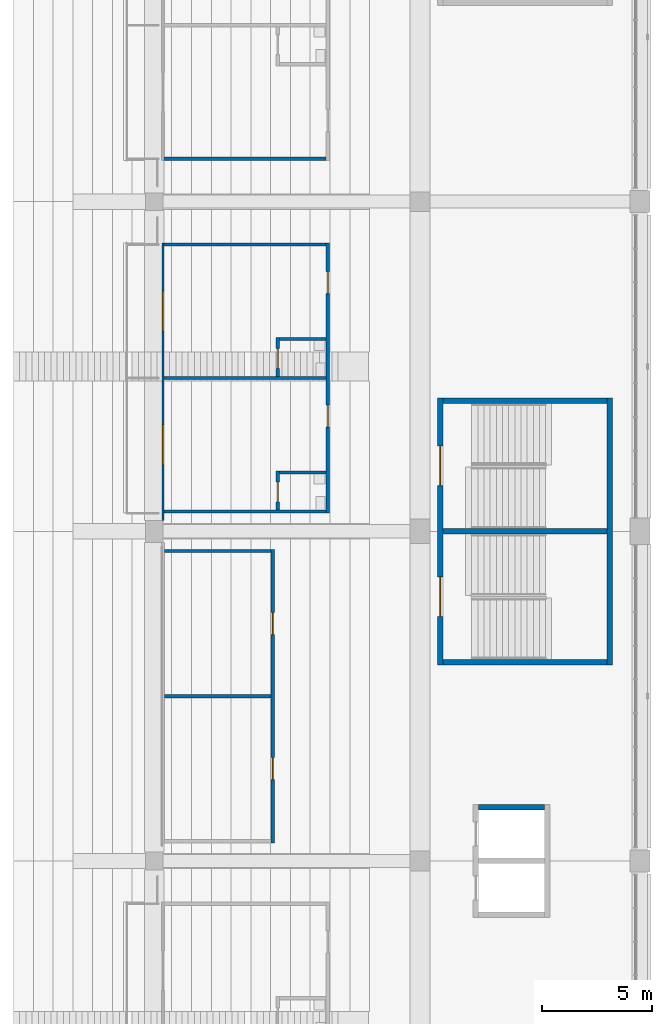
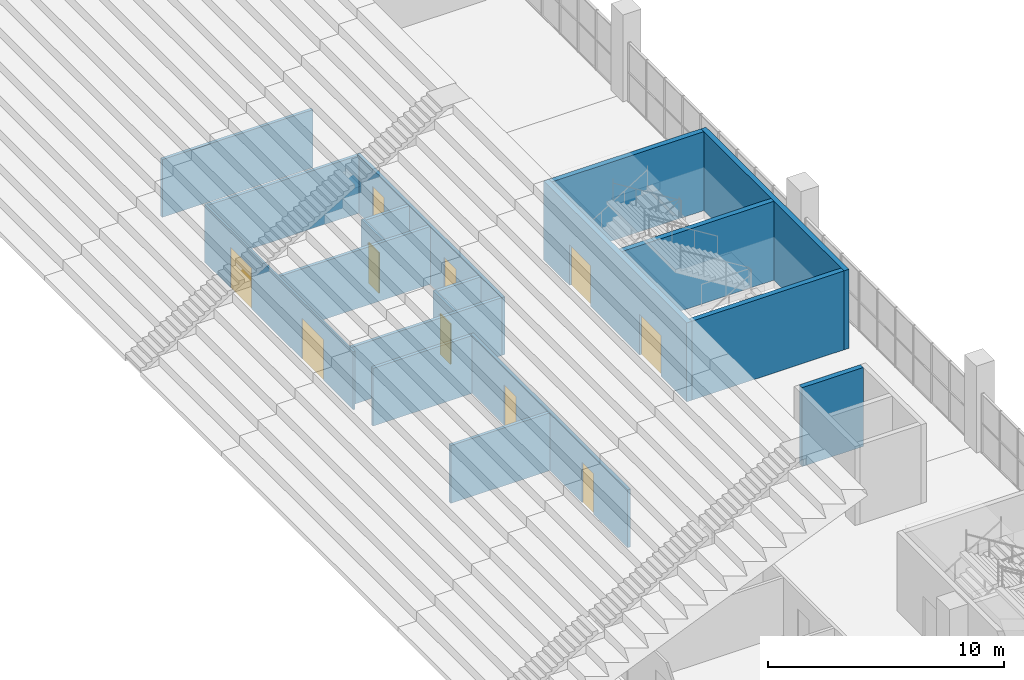
# One storey, part 93 of 249: 19 walls, 10 doors, 10 openings.
"""IFC4 building model written with IfcOpenShell, lengths in metres."""

from ifc_helpers import new_model, si_unit, direction, frame, frame_2d, origin, place, context, subcontext, project, spatial, rectangle, extrude, material, layer, layer_set, type_object, element, fill, save


model = new_model("IFC4")

# Units and contexts
model_context = context("Model", 3, precision=1e-05, world=origin(), true_north=direction((0.0, 1.0)))
body_context = subcontext(model_context, "Body", "Model", "MODEL_VIEW")
ifc_project = project(units=[si_unit("LENGTHUNIT", "METRE"), si_unit("AREAUNIT", "SQUARE_METRE"), si_unit("VOLUMEUNIT", "CUBIC_METRE"), si_unit("PLANEANGLEUNIT", "RADIAN"), si_unit("MASSUNIT", "GRAM", prefix="KILO")], contexts=[model_context])

# Site, building, storey
site_placement = place(None, origin())
site = spatial("IfcSite", under=ifc_project, at=site_placement, CompositionType="ELEMENT")
building_placement = place(site_placement, origin())
building = spatial("IfcBuilding", under=site, at=building_placement, Name="Ogive Plaza Stadium", CompositionType="ELEMENT")
storey_placement = place(building_placement, frame((0.0, 0.0, 13.5)))
storey = spatial("IfcBuildingStorey", under=building, at=storey_placement, Name="L03", CompositionType="ELEMENT", Elevation=13.5)

# Wall
ifc_material_1 = material(Name="Masonry blockwork", Category="masonry")
ifc_layer_1 = layer(ifc_material_1, 0.14990234375)
ifc_layer_set_1 = layer_set([ifc_layer_1], Name="Blockwork wall 150")
wall_type_1 = type_object("IfcWallType", Name="Blockwork wall 150", PredefinedType="SOLIDWALL", material=ifc_layer_set_1)
wall_1_placement = place(storey_placement, frame((62.35009765625, 24.449951171875, 0.0), z_axis=(0.0, 0.0, 1.0), x_axis=(1.0, 0.0, 0.0)))
element("IfcWall", 1, at=wall_1_placement, inside=storey, type_object=wall_type_1, Name="Wall L03 B02", PredefinedType="SOLIDWALL", context=body_context, shape_type="SweptSolid", body=[
    extrude(rectangle(XDim=7.375, YDim=0.14990234375, at=frame_2d((3.6875, 0.0))), origin(), (0.0, 0.0, 1.0), 3.0),
])

# Wall, openings, doors
wall_2_placement = place(storey_placement, frame((69.800048828125, 8.324951171875, 0.0), z_axis=(0.0, 0.0, 1.0), x_axis=(0.0, 1.0, 0.0)))
wall_2 = element("IfcWall", 2, at=wall_2_placement, inside=storey, type_object=wall_type_1, Name="Wall L03 B03", PredefinedType="SOLIDWALL", context=body_context, shape_type="SweptSolid", body=[
    extrude(rectangle(XDim=12.300048828125, YDim=0.14990234375, at=frame_2d((6.14990234375, 0.0))), origin(), (0.0, 0.0, 1.0), 3.0),
])
opening_1_placement = place(wall_2_placement, frame((3.916015625, 0.0, 0.0)))
opening_1 = element("IfcOpeningElement", 3, at=opening_1_placement, cuts=wall_2, Name="Opening D0761", PredefinedType="OPENING", context=body_context, shape_type="SweptSolid", body=[
    extrude(rectangle(XDim=1.0, YDim=2.10009765625, at=frame_2d((0.5, 1.050048828125))), frame((0.0, 0.074951171875, 0.0), z_axis=(0.0, -1.0, 0.0), x_axis=(1.0, 0.0, 0.0)), (0.0, 0.0, 1.0), 0.14990234375),
])
opening_2_placement = place(wall_2_placement, frame((9.990966796875, 0.0, 0.0)))
opening_2 = element("IfcOpeningElement", 4, at=opening_2_placement, cuts=wall_2, Name="Opening D0762", PredefinedType="OPENING", context=body_context, shape_type="SweptSolid", body=[
    extrude(rectangle(XDim=1.0, YDim=2.10009765625, at=frame_2d((0.5, 1.050048828125))), frame((0.0, 0.074951171875, 0.0), z_axis=(0.0, -1.0, 0.0), x_axis=(1.0, 0.0, 0.0)), (0.0, 0.0, 1.0), 0.14990234375),
])
ifc_material_2 = material(Name="Steel ASTM A572 Grade 50", Category="steel")
door_type_1 = type_object("IfcDoorType", Name="Fire door FD30S 1000 x 2100", OperationType="SINGLE_SWING_LEFT", PredefinedType="DOOR", material=ifc_material_2)
door_1_placement = place(opening_1_placement, origin())
door_1 = element("IfcDoor", 5, at=door_1_placement, inside=storey, type_object=door_type_1, Name="Hospitality Suite B03 door", OperationType="SINGLE_SWING_LEFT", OverallHeight=2.10009765625, OverallWidth=1.0, PredefinedType="DOOR", context=body_context, shape_type="SweptSolid", body=[
    extrude(rectangle(XDim=1.0, YDim=2.10009765625, at=frame_2d((0.5, 1.050048828125))), frame((0.0, 0.02490234375, 0.0), z_axis=(0.0, -1.0, 0.0), x_axis=(1.0, 0.0, 0.0)), (0.0, 0.0, 1.0), 0.050048828125),
])
fill(opening_1, door_1)
door_2_placement = place(opening_2_placement, origin())
door_2 = element("IfcDoor", 6, at=door_2_placement, inside=storey, type_object=door_type_1, Name="Hospitality Suite B03 door", OperationType="SINGLE_SWING_LEFT", OverallHeight=2.10009765625, OverallWidth=1.0, PredefinedType="DOOR", context=body_context, shape_type="SweptSolid", body=[
    extrude(rectangle(XDim=1.0, YDim=2.10009765625, at=frame_2d((0.5, 1.050048828125))), frame((0.0, 0.02490234375, 0.0), z_axis=(0.0, -1.0, 0.0), x_axis=(1.0, 0.0, 0.0)), (0.0, 0.0, 1.0), 0.050048828125),
])
fill(opening_2, door_2)

# Walls
for number, where, z_axis, x_axis, name in (
    (7, (62.35009765625, 8.39990234375, 0.0), (0.0, 0.0, 1.0), (1.0, 0.0, 0.0), "Wall L03 B03"),
    (8, (62.35009765625, 14.47509765625, 0.0), (0.0, 0.0, 1.0), (1.0, 0.0, 0.0), "Wall L03 B03"),
    (9, (62.35009765625, 20.550048828125, 0.0), (0.0, 0.0, 1.0), (1.0, 0.0, 0.0), "Wall L03 B03"),
):
    element("IfcWall", number, at=place(storey_placement, frame(where, z_axis=z_axis, x_axis=x_axis)), inside=storey, type_object=wall_type_1, Name=name, PredefinedType="SOLIDWALL", context=body_context, shape_type="SweptSolid", body=[
        extrude(rectangle(XDim=7.375, YDim=0.14990234375, at=frame_2d((3.6875, 0.0))), origin(), (0.0, 0.0, 1.0), 3.0),
    ])

# Wall, openings, doors
wall_3_placement = place(storey_placement, frame((67.300048828125, 6.675048828125, 0.0), z_axis=(0.0, 0.0, 1.0), x_axis=(0.0, -1.0, 0.0)))
wall_3 = element("IfcWall", 10, at=wall_3_placement, inside=storey, type_object=wall_type_1, Name="Wall L03 B04", PredefinedType="SOLIDWALL", context=body_context, shape_type="SweptSolid", body=[
    extrude(rectangle(XDim=13.35009765625, YDim=0.14990234375, at=frame_2d((6.675048828125, 0.0))), origin(), (0.0, 0.0, 1.0), 3.0),
])
opening_3_placement = place(wall_3_placement, frame((2.875, 0.0, 0.0)))
opening_3 = element("IfcOpeningElement", 11, at=opening_3_placement, cuts=wall_3, Name="Opening D0767", PredefinedType="OPENING", context=body_context, shape_type="SweptSolid", body=[
    extrude(rectangle(XDim=1.0, YDim=2.10009765625, at=frame_2d((0.5, 1.050048828125))), frame((0.0, 0.074951171875, 0.0), z_axis=(0.0, -1.0, 0.0), x_axis=(1.0, 0.0, 0.0)), (0.0, 0.0, 1.0), 0.14990234375),
])
opening_4_placement = place(wall_3_placement, frame((9.47509765625, 0.0, 0.0)))
opening_4 = element("IfcOpeningElement", 12, at=opening_4_placement, cuts=wall_3, Name="Opening D0768", PredefinedType="OPENING", context=body_context, shape_type="SweptSolid", body=[
    extrude(rectangle(XDim=1.0, YDim=2.10009765625, at=frame_2d((0.5, 1.050048828125))), frame((0.0, 0.074951171875, 0.0), z_axis=(0.0, -1.0, 0.0), x_axis=(1.0, 0.0, 0.0)), (0.0, 0.0, 1.0), 0.14990234375),
])
ifc_material_3 = material(Name="Steel ASTM A572 Grade 50", Category="steel")
door_type_2 = type_object("IfcDoorType", Name="Fire door FD60 1000 x 2100", OperationType="SINGLE_SWING_LEFT", PredefinedType="DOOR", material=ifc_material_3)
door_3_placement = place(opening_3_placement, origin())
door_3 = element("IfcDoor", 13, at=door_3_placement, inside=storey, type_object=door_type_2, Name="Hospitality Pantry B04 door", OperationType="SINGLE_SWING_RIGHT", OverallHeight=2.10009765625, OverallWidth=1.0, PredefinedType="DOOR", context=body_context, shape_type="SweptSolid", body=[
    extrude(rectangle(XDim=1.0, YDim=2.10009765625, at=frame_2d((0.5, 1.050048828125))), frame((0.0, 0.02490234375, 0.0), z_axis=(0.0, -1.0, 0.0), x_axis=(1.0, 0.0, 0.0)), (0.0, 0.0, 1.0), 0.050048828125),
])
fill(opening_3, door_3)
door_4_placement = place(opening_4_placement, origin())
door_4 = element("IfcDoor", 14, at=door_4_placement, inside=storey, type_object=door_type_2, Name="Hospitality Store B04 door", OperationType="SINGLE_SWING_LEFT", OverallHeight=2.10009765625, OverallWidth=1.0, PredefinedType="DOOR", context=body_context, shape_type="SweptSolid", body=[
    extrude(rectangle(XDim=1.0, YDim=2.10009765625, at=frame_2d((0.5, 1.050048828125))), frame((0.0, 0.02490234375, 0.0), z_axis=(0.0, -1.0, 0.0), x_axis=(1.0, 0.0, 0.0)), (0.0, 0.0, 1.0), 0.050048828125),
])
fill(opening_4, door_4)

# Walls
for number, where, z_axis, x_axis, name in (
    (15, (62.375, 6.60009765625, 0.0), (0.0, 0.0, 1.0), (1.0, 0.0, 0.0), "Wall L03 B04"),
    (16, (62.375, 0.0, 0.0), (0.0, 0.0, 1.0), (1.0, 0.0, 0.0), "Wall L03 B04"),
):
    element("IfcWall", number, at=place(storey_placement, frame(where, z_axis=z_axis, x_axis=x_axis)), inside=storey, type_object=wall_type_1, Name=name, PredefinedType="SOLIDWALL", context=body_context, shape_type="SweptSolid", body=[
        extrude(rectangle(XDim=4.85009765625, YDim=0.14990234375, at=frame_2d((2.425048828125, 0.0))), origin(), (0.0, 0.0, 1.0), 3.0),
    ])

# Wall, openings, doors
ifc_material_4 = material(Name="Concrete C40/50", Category="concrete")
ifc_layer_2 = layer(ifc_material_4, 0.25)
ifc_layer_set_2 = layer_set([ifc_layer_2], Name="Concrete C40/50")
wall_type_2 = type_object("IfcWallType", Name="Core wall 250", PredefinedType="SHEAR", material=ifc_layer_set_2)
wall_4_placement = place(storey_placement, frame((74.925048828125, 1.425048828125, 0.0), z_axis=(0.0, 0.0, 1.0), x_axis=(0.0, 1.0, 0.0)))
wall_4 = element("IfcWall", 17, at=wall_4_placement, inside=storey, type_object=wall_type_2, Name="Stair core R04 inner wall", PredefinedType="SHEAR", context=body_context, shape_type="SweptSolid", body=[
    extrude(rectangle(XDim=12.14990234375, YDim=0.25, at=frame_2d((6.074951171875, 0.0))), origin(), (0.0, 0.0, 1.0), 4.090087890625),
])
opening_5_placement = place(wall_4_placement, frame((2.199951171875, 0.0, 0.0)))
opening_5 = element("IfcOpeningElement", 18, at=opening_5_placement, cuts=wall_4, Name="Opening D0061", PredefinedType="OPENING", context=body_context, shape_type="SweptSolid", body=[
    extrude(rectangle(XDim=1.800048828125, YDim=2.10009765625, at=frame_2d((0.89990234375, 1.050048828125))), frame((0.0, 0.125, 0.0), z_axis=(0.0, -1.0, 0.0), x_axis=(1.0, 0.0, 0.0)), (0.0, 0.0, 1.0), 0.25),
])
opening_6_placement = place(wall_4_placement, frame((8.14990234375, 0.0, 0.0)))
opening_6 = element("IfcOpeningElement", 19, at=opening_6_placement, cuts=wall_4, Name="Opening D0062", PredefinedType="OPENING", context=body_context, shape_type="SweptSolid", body=[
    extrude(rectangle(XDim=1.800048828125, YDim=2.10009765625, at=frame_2d((0.89990234375, 1.050048828125))), frame((0.0, 0.125, 0.0), z_axis=(0.0, -1.0, 0.0), x_axis=(1.0, 0.0, 0.0)), (0.0, 0.0, 1.0), 0.25),
])
ifc_material_5 = material(Name="Steel ASTM A572 Grade 50", Category="steel")
door_type_3 = type_object("IfcDoorType", Name="Fire door FD90 pair 1800 x 2100", OperationType="DOUBLE_DOOR_SINGLE_SWING", PredefinedType="DOOR", material=ifc_material_5)
door_5_placement = place(opening_5_placement, origin())
door_5 = element("IfcDoor", 20, at=door_5_placement, inside=storey, type_object=door_type_3, Name="Exit stair R04A door L03", OperationType="DOUBLE_DOOR_SINGLE_SWING", OverallHeight=2.10009765625, OverallWidth=1.800048828125, PredefinedType="DOOR", context=body_context, shape_type="SweptSolid", body=[
    extrude(rectangle(XDim=1.800048828125, YDim=2.10009765625, at=frame_2d((0.89990234375, 1.050048828125))), frame((0.0, 0.02490234375, 0.0), z_axis=(0.0, -1.0, 0.0), x_axis=(1.0, 0.0, 0.0)), (0.0, 0.0, 1.0), 0.050048828125),
])
fill(opening_5, door_5)
door_6_placement = place(opening_6_placement, origin())
door_6 = element("IfcDoor", 21, at=door_6_placement, inside=storey, type_object=door_type_3, Name="Exit stair R04B door L03", OperationType="DOUBLE_DOOR_SINGLE_SWING", OverallHeight=2.10009765625, OverallWidth=1.800048828125, PredefinedType="DOOR", context=body_context, shape_type="SweptSolid", body=[
    extrude(rectangle(XDim=1.800048828125, YDim=2.10009765625, at=frame_2d((0.89990234375, 1.050048828125))), frame((0.0, 0.02490234375, 0.0), z_axis=(0.0, -1.0, 0.0), x_axis=(1.0, 0.0, 0.0)), (0.0, 0.0, 1.0), 0.050048828125),
])
fill(opening_6, door_6)

# Walls
wall_5_placement = place(storey_placement, frame((82.635009765625, 1.425048828125, 0.0), z_axis=(0.0, 0.0, 1.0), x_axis=(0.0, 1.0, 0.0)))
element("IfcWall", 22, at=wall_5_placement, inside=storey, type_object=wall_type_2, Name="Stair core R04 outer wall", PredefinedType="SHEAR", context=body_context, shape_type="SweptSolid", body=[
    extrude(rectangle(XDim=12.14990234375, YDim=0.25, at=frame_2d((6.074951171875, 0.0))), origin(), (0.0, 0.0, 1.0), 4.090087890625),
])
for number, where, z_axis, x_axis, name in (
    (23, (75.050048828125, 1.550048828125, 0.0), (0.0, 0.0, 1.0), (1.0, 0.0, 0.0), "Stair core R04 side wall"),
    (24, (75.050048828125, 13.449951171875, 0.0), (0.0, 0.0, 1.0), (1.0, 0.0, 0.0), "Stair core R04 side wall"),
    (25, (75.050048828125, 7.5, 0.0), (0.0, 0.0, 1.0), (1.0, 0.0, 0.0), "Stair core R04 centre wall"),
):
    element("IfcWall", number, at=place(storey_placement, frame(where, z_axis=z_axis, x_axis=x_axis)), inside=storey, type_object=wall_type_2, Name=name, PredefinedType="SHEAR", context=body_context, shape_type="SweptSolid", body=[
        extrude(rectangle(XDim=7.4599609375, YDim=0.25, at=frame_2d((3.72998046875, 0.0))), origin(), (0.0, 0.0, 1.0), 4.090087890625),
    ])
wall_6_placement = place(storey_placement, frame((76.64990234375, -5.050048828125, 0.0), z_axis=(0.0, 0.0, 1.0), x_axis=(1.0, 0.0, 0.0)))
element("IfcWall", 26, at=wall_6_placement, inside=storey, type_object=wall_type_2, Name="Lift core LP05 side wall", PredefinedType="SHEAR", context=body_context, shape_type="SweptSolid", body=[
    extrude(rectangle(XDim=3.0, YDim=0.25, at=frame_2d((1.5, 0.0))), origin(), (0.0, 0.0, 1.0), 4.090087890625),
])

# Wall, openings, doors
ifc_material_6 = material(Name="Laminated glass in aluminium frame", Category="aluminium")
ifc_layer_3 = layer(ifc_material_6, 0.10009765625)
ifc_layer_set_3 = layer_set([ifc_layer_3], Name="Glazed partition 100")
wall_type_3 = type_object("IfcWallType", Name="Glazed partition 100", PredefinedType="PARTITIONING", material=ifc_layer_set_3)
wall_7_placement = place(storey_placement, frame((62.300048828125, 8.0, 0.0), z_axis=(0.0, 0.0, 1.0), x_axis=(0.0, 1.0, 0.0)))
wall_7 = element("IfcWall", 27, at=wall_7_placement, inside=storey, type_object=wall_type_3, Name="Wall L03 B03", PredefinedType="PARTITIONING", context=body_context, shape_type="SweptSolid", body=[
    extrude(rectangle(XDim=12.625, YDim=0.10009765625, at=frame_2d((6.3125, 0.0))), origin(), (0.0, 0.0, 1.0), 3.0),
])
opening_7_placement = place(wall_7_placement, frame((2.53759765625, 0.0, 0.0)))
opening_7 = element("IfcOpeningElement", 28, at=opening_7_placement, cuts=wall_7, Name="Opening D0763", PredefinedType="OPENING", context=body_context, shape_type="SweptSolid", body=[
    extrude(rectangle(XDim=1.800048828125, YDim=2.10009765625, at=frame_2d((0.89990234375, 1.050048828125))), frame((0.0, 0.050048828125, 0.0), z_axis=(0.0, -1.0, 0.0), x_axis=(1.0, 0.0, 0.0)), (0.0, 0.0, 1.0), 0.10009765625),
])
opening_8_placement = place(wall_7_placement, frame((8.612548828125, 0.0, 0.0)))
opening_8 = element("IfcOpeningElement", 29, at=opening_8_placement, cuts=wall_7, Name="Opening D0764", PredefinedType="OPENING", context=body_context, shape_type="SweptSolid", body=[
    extrude(rectangle(XDim=1.800048828125, YDim=2.10009765625, at=frame_2d((0.89990234375, 1.050048828125))), frame((0.0, 0.050048828125, 0.0), z_axis=(0.0, -1.0, 0.0), x_axis=(1.0, 0.0, 0.0)), (0.0, 0.0, 1.0), 0.10009765625),
])
ifc_material_7 = material(Name="Steel ASTM A572 Grade 50", Category="steel")
door_type_4 = type_object("IfcDoorType", Name="Door pair 1800 x 2100", OperationType="DOUBLE_DOOR_SINGLE_SWING", PredefinedType="DOOR", material=ifc_material_7)
door_7_placement = place(opening_7_placement, origin())
door_7 = element("IfcDoor", 30, at=door_7_placement, inside=storey, type_object=door_type_4, Name="Suite terrace door B03", OperationType="DOUBLE_DOOR_SINGLE_SWING", OverallHeight=2.10009765625, OverallWidth=1.800048828125, PredefinedType="DOOR", context=body_context, shape_type="SweptSolid", body=[
    extrude(rectangle(XDim=1.800048828125, YDim=2.10009765625, at=frame_2d((0.89990234375, 1.050048828125))), frame((0.0, 0.02490234375, 0.0), z_axis=(0.0, -1.0, 0.0), x_axis=(1.0, 0.0, 0.0)), (0.0, 0.0, 1.0), 0.050048828125),
])
fill(opening_7, door_7)
door_8_placement = place(opening_8_placement, origin())
door_8 = element("IfcDoor", 31, at=door_8_placement, inside=storey, type_object=door_type_4, Name="Suite terrace door B03", OperationType="DOUBLE_DOOR_SINGLE_SWING", OverallHeight=2.10009765625, OverallWidth=1.800048828125, PredefinedType="DOOR", context=body_context, shape_type="SweptSolid", body=[
    extrude(rectangle(XDim=1.800048828125, YDim=2.10009765625, at=frame_2d((0.89990234375, 1.050048828125))), frame((0.0, 0.02490234375, 0.0), z_axis=(0.0, -1.0, 0.0), x_axis=(1.0, 0.0, 0.0)), (0.0, 0.0, 1.0), 0.050048828125),
])
fill(opening_8, door_8)

# Wall, opening, door
ifc_material_8 = material(Name="Gypsum board partition", Category="gypsum")
ifc_layer_4 = layer(ifc_material_8, 0.14990234375)
ifc_layer_set_4 = layer_set([ifc_layer_4], Name="Partition 150")
wall_type_4 = type_object("IfcWallType", Name="Partition 150", PredefinedType="PARTITIONING", material=ifc_layer_set_4)
wall_8_placement = place(storey_placement, frame((67.52490234375, 8.47509765625, 0.0), z_axis=(0.0, 0.0, 1.0), x_axis=(0.0, 1.0, 0.0)))
wall_8 = element("IfcWall", 32, at=wall_8_placement, inside=storey, type_object=wall_type_4, Name="Wall L03 B03", PredefinedType="PARTITIONING", context=body_context, shape_type="SweptSolid", body=[
    extrude(rectangle(XDim=1.77490234375, YDim=0.14990234375, at=frame_2d((0.887451171875, 0.0))), origin(), (0.0, 0.0, 1.0), 3.0),
])
opening_9_placement = place(wall_8_placement, frame((0.362548828125, 0.0, 0.0)))
opening_9 = element("IfcOpeningElement", 33, at=opening_9_placement, cuts=wall_8, Name="Opening D0765", PredefinedType="OPENING", context=body_context, shape_type="SweptSolid", body=[
    extrude(rectangle(XDim=0.89990234375, YDim=2.10009765625, at=frame_2d((0.449951171875, 1.050048828125))), frame((0.0, 0.074951171875, 0.0), z_axis=(0.0, -1.0, 0.0), x_axis=(1.0, 0.0, 0.0)), (0.0, 0.0, 1.0), 0.14990234375),
])
ifc_material_9 = material(Name="Steel ASTM A572 Grade 50", Category="steel")
door_type_5 = type_object("IfcDoorType", Name="Door 900 x 2100", OperationType="SINGLE_SWING_LEFT", PredefinedType="DOOR", material=ifc_material_9)
door_9_placement = place(opening_9_placement, origin())
door_9 = element("IfcDoor", 34, at=door_9_placement, inside=storey, type_object=door_type_5, Name="Suite WC B03 door", OperationType="SINGLE_SWING_RIGHT", OverallHeight=2.10009765625, OverallWidth=0.89990234375, PredefinedType="DOOR", context=body_context, shape_type="SweptSolid", body=[
    extrude(rectangle(XDim=0.89990234375, YDim=2.10009765625, at=frame_2d((0.449951171875, 1.050048828125))), frame((0.0, 0.02490234375, 0.0), z_axis=(0.0, -1.0, 0.0), x_axis=(1.0, 0.0, 0.0)), (0.0, 0.0, 1.0), 0.050048828125),
])
fill(opening_9, door_9)

# Wall
wall_9_placement = place(storey_placement, frame((67.60009765625, 10.175048828125, 0.0), z_axis=(0.0, 0.0, 1.0), x_axis=(1.0, 0.0, 0.0)))
element("IfcWall", 35, at=wall_9_placement, inside=storey, type_object=wall_type_4, Name="Wall L03 B03", PredefinedType="PARTITIONING", context=body_context, shape_type="SweptSolid", body=[
    extrude(rectangle(XDim=2.125, YDim=0.14990234375, at=frame_2d((1.0625, 0.0))), origin(), (0.0, 0.0, 1.0), 3.0),
])

# Wall, opening, door
wall_10_placement = place(storey_placement, frame((67.52490234375, 14.550048828125, 0.0), z_axis=(0.0, 0.0, 1.0), x_axis=(0.0, 1.0, 0.0)))
wall_10 = element("IfcWall", 36, at=wall_10_placement, inside=storey, type_object=wall_type_4, Name="Wall L03 B03", PredefinedType="PARTITIONING", context=body_context, shape_type="SweptSolid", body=[
    extrude(rectangle(XDim=1.77490234375, YDim=0.14990234375, at=frame_2d((0.887451171875, 0.0))), origin(), (0.0, 0.0, 1.0), 3.0),
])
opening_10_placement = place(wall_10_placement, frame((0.362548828125, 0.0, 0.0)))
opening_10 = element("IfcOpeningElement", 37, at=opening_10_placement, cuts=wall_10, Name="Opening D0766", PredefinedType="OPENING", context=body_context, shape_type="SweptSolid", body=[
    extrude(rectangle(XDim=0.89990234375, YDim=2.10009765625, at=frame_2d((0.449951171875, 1.050048828125))), frame((0.0, 0.074951171875, 0.0), z_axis=(0.0, -1.0, 0.0), x_axis=(1.0, 0.0, 0.0)), (0.0, 0.0, 1.0), 0.14990234375),
])
door_10_placement = place(opening_10_placement, origin())
door_10 = element("IfcDoor", 38, at=door_10_placement, inside=storey, type_object=door_type_5, Name="Suite WC B03 door", OperationType="SINGLE_SWING_LEFT", OverallHeight=2.10009765625, OverallWidth=0.89990234375, PredefinedType="DOOR", context=body_context, shape_type="SweptSolid", body=[
    extrude(rectangle(XDim=0.89990234375, YDim=2.10009765625, at=frame_2d((0.449951171875, 1.050048828125))), frame((0.0, 0.02490234375, 0.0), z_axis=(0.0, -1.0, 0.0), x_axis=(1.0, 0.0, 0.0)), (0.0, 0.0, 1.0), 0.050048828125),
])
fill(opening_10, door_10)

# Wall
wall_11_placement = place(storey_placement, frame((67.60009765625, 16.25, 0.0), z_axis=(0.0, 0.0, 1.0), x_axis=(1.0, 0.0, 0.0)))
element("IfcWall", 39, at=wall_11_placement, inside=storey, type_object=wall_type_4, Name="Wall L03 B03", PredefinedType="PARTITIONING", context=body_context, shape_type="SweptSolid", body=[
    extrude(rectangle(XDim=2.125, YDim=0.14990234375, at=frame_2d((1.0625, 0.0))), origin(), (0.0, 0.0, 1.0), 3.0),
])

save(model, "model.ifc")
